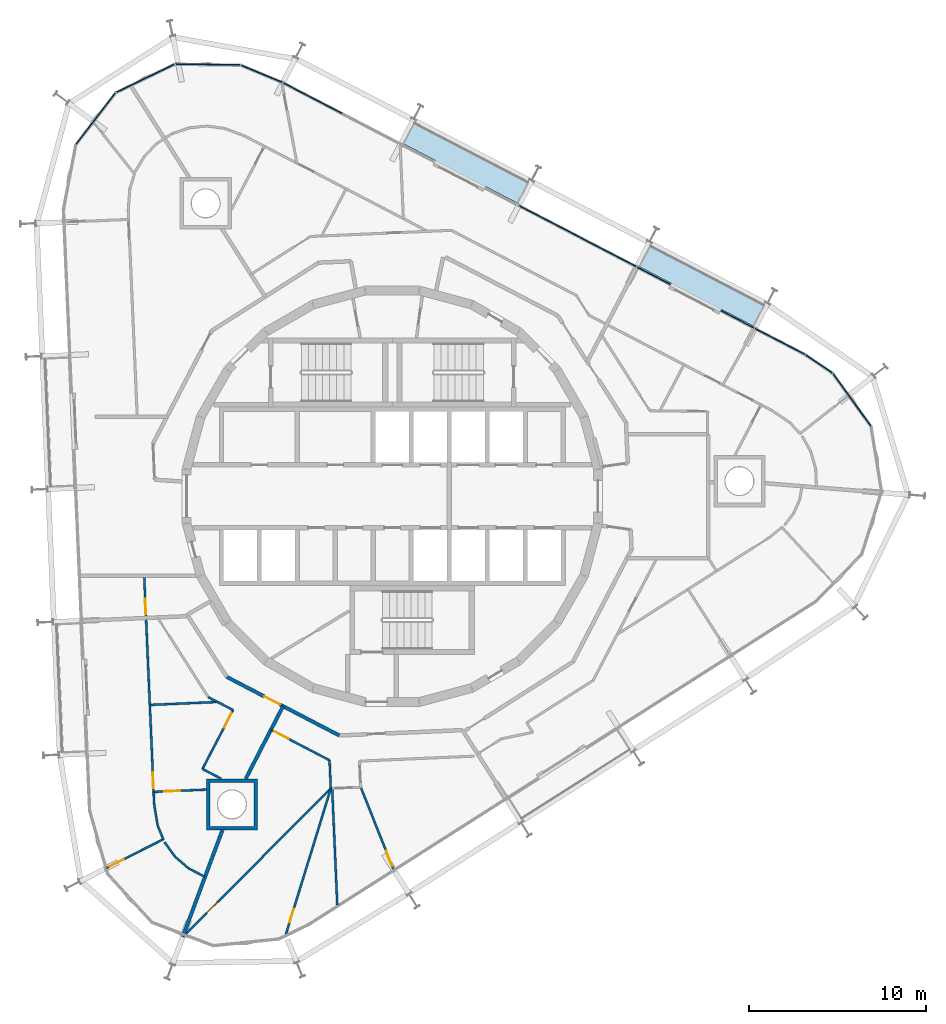
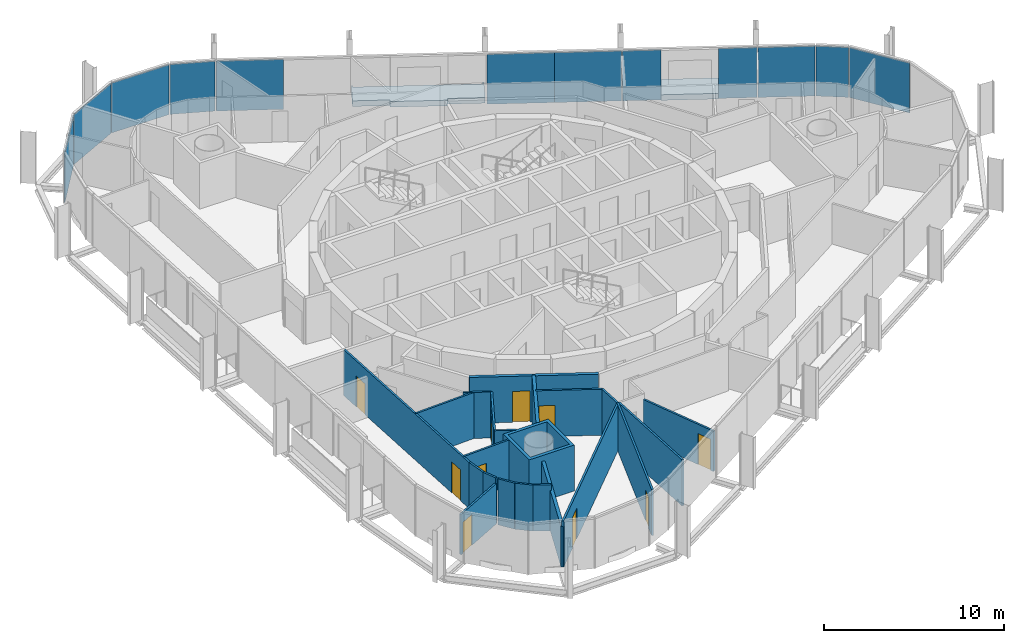
# One storey, part 11 of 17: 22 walls, 12 plates, 10 doors, 2 slabs, 10 openings, 3 elements without a shape of their own.
"""IFC4 building model written with IfcOpenShell, lengths in metres."""

import ifcopenshell
import ifcopenshell.guid

model = None  # the IFC model being written
_history = None  # IfcOwnerHistory: only IFC2X3 demands one
_inside = {}  # id of a spatial element -> (the spatial element, [elements in it])
_under = {}  # id of a project, library or spatial element -> (it, [spatial elements below it])
_declared = {}  # id of a project -> (the project, [libraries it declares])
_typed = {}  # id of a type object -> (the type object, [elements of that type])
_made_of = {}  # id of a material, layer set ... -> (it, [elements and type objects made of it])


def new_model(schema):
    """Start an empty IFC model of exactly this schema.

    Asked for "IFC4X3", IfcOpenShell would pick the latest addendum, in which some entities
    have other attributes; the version numbers below select the first issue.
    IFC2X3 requires an IfcOwnerHistory on every rooted entity: one is made here for all.
    """
    global model, _history
    if schema == "IFC4X3":
        model = ifcopenshell.file(schema_version=(4, 3, 0, 0))
    else:
        model = ifcopenshell.file(schema=schema)
    _inside.clear()
    _under.clear()
    _declared.clear()
    _typed.clear()
    _made_of.clear()
    _history = None
    if model.schema == "IFC2X3":
        org = make("IfcOrganization", Name="unknown")
        user = make(
            "IfcPersonAndOrganization",
            ThePerson=make("IfcPerson", FamilyName="unknown"),
            TheOrganization=org,
        )
        app = make(
            "IfcApplication",
            ApplicationDeveloper=org,
            Version="unknown",
            ApplicationFullName="unknown",
            ApplicationIdentifier="unknown",
        )
        _history = make(
            "IfcOwnerHistory",
            OwningUser=user,
            OwningApplication=app,
            ChangeAction="ADDED",
            CreationDate=0,
        )
    return model


def make(cls, **values):
    """One entity of the class cls with the attributes given. An attribute that is None is left unset."""
    return model.create_entity(
        cls, **{name: value for name, value in values.items() if value is not None}
    )


def rooted(cls, **values):
    """An entity with a GlobalId (a new one), such as an element, a storey or a relation."""
    return make(cls, GlobalId=ifcopenshell.guid.new(), OwnerHistory=_history, **values)


def si_unit(unit_type, name, prefix=None):
    """IfcSIUnit, for example si_unit("LENGTHUNIT", "METRE", prefix="MILLI")."""
    return make("IfcSIUnit", UnitType=unit_type, Prefix=prefix, Name=name)


def assignment(units):
    """IfcUnitAssignment: the units of a project."""
    return None if units is None else make("IfcUnitAssignment", Units=units)


def point(xyz):
    """IfcCartesianPoint."""
    return None if xyz is None else make("IfcCartesianPoint", Coordinates=xyz)


def direction(xyz):
    """IfcDirection."""
    return None if xyz is None else make("IfcDirection", DirectionRatios=xyz)


def frame(location, z_axis=None, x_axis=None):
    """IfcAxis2Placement3D, a coordinate frame: its origin and axes. An axis left out is left unset."""
    return make(
        "IfcAxis2Placement3D",
        Location=point(location),
        Axis=direction(z_axis),
        RefDirection=direction(x_axis),
    )


def frame_2d(location, x_axis=None):
    """IfcAxis2Placement2D, a coordinate frame in the plane: its origin and x axis."""
    return make(
        "IfcAxis2Placement2D", Location=point(location), RefDirection=direction(x_axis)
    )


def origin():
    """The frame at (0, 0, 0) with its axes left unset."""
    return frame((0.0, 0.0, 0.0))


def origin_2d():
    """The frame at (0, 0) in the plane with its x axis left unset."""
    return frame_2d((0.0, 0.0))


def place(relative_to, where):
    """IfcLocalPlacement: puts the frame where relative to a parent placement (None: the world)."""
    return make(
        "IfcLocalPlacement", PlacementRelTo=relative_to, RelativePlacement=where
    )


def context(
    kind, dimensions, precision=None, world=None, true_north=None, identifier=None
):
    """IfcGeometricRepresentationContext, for example the 3D "Model" context."""
    return make(
        "IfcGeometricRepresentationContext",
        ContextIdentifier=identifier,
        ContextType=kind,
        CoordinateSpaceDimension=dimensions,
        Precision=precision,
        WorldCoordinateSystem=world,
        TrueNorth=true_north,
    )


def subcontext(parent, identifier, kind, view, scale=None):
    """IfcGeometricRepresentationSubContext, for example "Body" below "Model"."""
    return make(
        "IfcGeometricRepresentationSubContext",
        ContextIdentifier=identifier,
        ContextType=kind,
        ParentContext=parent,
        TargetScale=scale,
        TargetView=view,
    )


def project(units=None, contexts=None):
    """IfcProject with its units and contexts."""
    return rooted(
        "IfcProject",
        Name="project",
        RepresentationContexts=contexts,
        UnitsInContext=assignment(units),
    )


def spatial(cls, under=None, at=None, **own):
    """A site, building, storey or space (cls), placed at a placement, below another one or the project."""
    s = rooted(cls, ObjectPlacement=at, **own)
    if under is not None:
        _under.setdefault(under.id(), (under, []))[1].append(s)
    return s


def polyline(points):
    """IfcPolyline through the points."""
    return make("IfcPolyline", Points=[point(p) for p in points])


def profile(cls, at=None, kind="AREA", **sizes):
    """A parametric profile (cls). Its sizes go by their IFC names, for example OverallWidth=200.0."""
    return make(cls, ProfileType=kind, Position=at, **sizes)


def rectangle(**sizes):
    """IfcRectangleProfileDef."""
    return profile("IfcRectangleProfileDef", **sizes)


def outline(outer, holes=None, kind="AREA"):
    """IfcArbitraryClosedProfileDef: a profile drawn as a closed curve; with holes, ...WithVoids."""
    if holes is None:
        return make("IfcArbitraryClosedProfileDef", ProfileType=kind, OuterCurve=outer)
    return make(
        "IfcArbitraryProfileDefWithVoids",
        ProfileType=kind,
        OuterCurve=outer,
        InnerCurves=holes,
    )


def extrude(swept, where, along, depth):
    """IfcExtrudedAreaSolid: the profile swept, set in the frame where, extruded along a direction by depth."""
    return make(
        "IfcExtrudedAreaSolid",
        SweptArea=swept,
        Position=where,
        ExtrudedDirection=direction(along),
        Depth=depth,
    )


def shape(context_of_items, identifier, shape_type, items):
    """IfcShapeRepresentation: the items that make up one representation, for example the "Body"."""
    return make(
        "IfcShapeRepresentation",
        ContextOfItems=context_of_items,
        RepresentationIdentifier=identifier,
        RepresentationType=shape_type,
        Items=items,
    )


def material(Name=None, Category=None):
    """IfcMaterial."""
    return make("IfcMaterial", Name=Name, Category=Category)


def layer(
    of_material, thickness, ventilated=None, Name=None, Category=None, Priority=None
):
    """IfcMaterialLayer: one layer of a wall or slab, of a material (None: an air gap)."""
    return make(
        "IfcMaterialLayer",
        Material=of_material,
        LayerThickness=thickness,
        IsVentilated=ventilated,
        Name=Name,
        Category=Category,
        Priority=Priority,
    )


def layer_set(layers, Name=None):
    """IfcMaterialLayerSet."""
    return make("IfcMaterialLayerSet", MaterialLayers=layers, LayerSetName=Name)


def made_of(thing, what):
    """Note that an element or type object is made of a material, layer set ...; save() writes the relation."""
    if what is not None:
        _made_of.setdefault(what.id(), (what, []))[1].append(thing)
    return thing


def type_object(cls, material=None, **own):
    """A type object (cls), such as IfcWallType, which elements share."""
    return made_of(rooted(cls, **own), material)


def element(
    cls,
    number,
    at=None,
    inside=None,
    cuts=None,
    type_object=None,
    material=None,
    context=None,
    identifier="Body",
    shape_type=None,
    held_by="IfcProductDefinitionShape",
    body=None,
    shapes=None,
    **own,
):
    """One element of the class cls, such as IfcWall. Its Tag is "e" and its number.

    at: its placement. inside: the storey or other place that contains it. cuts: it is an
    opening in that element (IfcRelVoidsElement). A single representation is given by context,
    identifier, shape_type and body (its items); several are given by shapes. held_by: the class
    of the entity that holds the representations. save() writes the other relations.
    """
    e = rooted(cls, Tag="e%d" % number, ObjectPlacement=at, **own)
    if body is not None:
        shapes = [shape(context, identifier, shape_type, body)]
    if shapes is not None:
        e.Representation = make(held_by, Representations=shapes)
    if inside is not None:
        _inside.setdefault(inside.id(), (inside, []))[1].append(e)
    if cuts is not None:
        rooted(
            "IfcRelVoidsElement", RelatingBuildingElement=cuts, RelatedOpeningElement=e
        )
    if type_object is not None:
        _typed.setdefault(type_object.id(), (type_object, []))[1].append(e)
    return made_of(e, material)


def fill(opening, filler):
    """IfcRelFillsElement: the door or window that sits in an opening."""
    return rooted(
        "IfcRelFillsElement",
        RelatingOpeningElement=opening,
        RelatedBuildingElement=filler,
    )


def aggregate(whole, parts):
    """IfcRelAggregates: a whole, such as a stair, and the parts it consists of."""
    return rooted("IfcRelAggregates", RelatingObject=whole, RelatedObjects=parts)


def save(model, path):
    """Write the relations noted so far, then the file.

    IfcRelAggregates (storeys below a building ...), IfcRelContainedInSpatialStructure (elements
    in a storey), IfcRelDefinesByType, IfcRelAssociatesMaterial and IfcRelDeclares: one each for
    every whole, place, type object, material and project.
    """
    for whole, parts in _under.values():
        aggregate(whole, parts)
    for where, things in _inside.values():
        rooted(
            "IfcRelContainedInSpatialStructure",
            RelatedElements=things,
            RelatingStructure=where,
        )
    for kind, things in _typed.values():
        rooted("IfcRelDefinesByType", RelatedObjects=things, RelatingType=kind)
    for what, things in _made_of.values():
        rooted("IfcRelAssociatesMaterial", RelatedObjects=things, RelatingMaterial=what)
    for by, libraries in _declared.values():
        rooted("IfcRelDeclares", RelatingContext=by, RelatedDefinitions=libraries)
    model.write(path)


model = new_model("IFC4")

# Units and contexts
model_context = context("Model", 3, precision=1e-05, world=origin(), true_north=direction((0.0, 1.0)))
body_context = subcontext(model_context, "Body", "Model", "MODEL_VIEW")
ifc_project = project(units=[si_unit("LENGTHUNIT", "METRE"), si_unit("AREAUNIT", "SQUARE_METRE"), si_unit("VOLUMEUNIT", "CUBIC_METRE"), si_unit("PLANEANGLEUNIT", "RADIAN"), si_unit("MASSUNIT", "GRAM", prefix="KILO")], contexts=[model_context])

# Site, building, storey
site_placement = place(None, origin())
site = spatial("IfcSite", under=ifc_project, at=site_placement, CompositionType="ELEMENT")
building_placement = place(site_placement, origin())
building = spatial("IfcBuilding", under=site, at=building_placement, Name="Spindle Arch Residences", CompositionType="ELEMENT")
storey_placement = place(building_placement, frame((0.0, 0.0, 244.199951171875)))
storey = spatial("IfcBuildingStorey", under=building, at=storey_placement, Name="L62", CompositionType="ELEMENT", Elevation=244.199951171875)

# Slabs
ifc_material_1 = material(Name="Concrete C40/50", Category="concrete")
ifc_layer_1 = layer(ifc_material_1, 0.3798828125)
ifc_layer_set_1 = layer_set([ifc_layer_1], Name="Balcony slab 380")
slab_type = type_object("IfcSlabType", Name="Balcony slab 380", PredefinedType="FLOOR", material=ifc_layer_set_1)
slab_1_placement = place(storey_placement, frame((0.0, 0.0, -0.3798828125)))
element("IfcSlab", 1, at=slab_1_placement, inside=storey, type_object=slab_type, Name="Balcony L62 bay 6", PredefinedType="FLOOR", context=body_context, shape_type="SweptSolid", body=[
    extrude(outline(polyline([(21.175537109375, 10.94287109375), (21.109130859375, 10.9775390625), (21.039794921875, 10.844482421875), (14.626708984375, 14.18310546875), (14.696044921875, 14.316162109375), (14.62939453125, 14.3505859375), (13.94140625, 13.029052734375), (15.79541015625, 12.06396484375), (15.721435546875, 11.922119140625), (18.559814453125, 10.444580078125), (18.6337890625, 10.58642578125), (20.487548828125, 9.621337890625), (21.175537109375, 10.94287109375)])), origin(), (0.0, 0.0, 1.0), 0.3798828125),
])
slab_2_placement = place(storey_placement, frame((0.0, 0.0, -0.3798828125)))
element("IfcSlab", 2, at=slab_2_placement, inside=storey, type_object=slab_type, Name="Balcony L62 bay 8", PredefinedType="FLOOR", context=body_context, shape_type="SweptSolid", body=[
    extrude(outline(polyline([(7.817138671875, 17.89697265625), (7.75048828125, 17.931640625), (7.681396484375, 17.798583984375), (1.268310546875, 21.136962890625), (1.33740234375, 21.27001953125), (1.27099609375, 21.3046875), (0.5830078125, 19.983154296875), (2.436767578125, 19.01806640625), (2.363037109375, 18.8759765625), (5.201416015625, 17.3984375), (5.275146484375, 17.540283203125), (7.129150390625, 16.5751953125), (7.817138671875, 17.89697265625)])), origin(), (0.0, 0.0, 1.0), 0.3798828125),
])

# Curtain wall, plates
ifc_material_2 = material(Name="Aluminium bronze unitised frame with tinted glass", Category="aluminium")
ifc_layer_2 = layer(ifc_material_2, 0.159912109375)
ifc_layer_set_2 = layer_set([ifc_layer_2], Name="CW-D corner wall on the fillet arcs")
curtain_wall_type_1 = type_object("IfcCurtainWallType", Name="CW-D corner wall on the fillet arcs", PredefinedType="NOTDEFINED", material=ifc_layer_set_2)
curtain_wall_1_placement = place(storey_placement, origin())
curtain_wall_1 = element("IfcCurtainWall", 3, at=curtain_wall_1_placement, inside=storey, type_object=curtain_wall_type_1, Name="CW-D L62 run 1", PredefinedType="NOTDEFINED")
ifc_material_3 = material(Name="Tinted double glazing over aluminium faced non-combustible spandrel zone (K0)", Category="aluminium")
ifc_layer_3 = layer(ifc_material_3, 0.06005859375)
ifc_layer_set_3 = layer_set([ifc_layer_3], Name="Unitised glass panel with E 60 spandrel zone")
plate_type = type_object("IfcPlateType", Name="Unitised glass panel with E 60 spandrel zone", PredefinedType="CURTAIN_PANEL", material=ifc_layer_set_3)
plate_1_placement = place(storey_placement, frame((26.024169921875, 5.460693359375, -0.3798828125), z_axis=(0.0, 0.0, 1.0), x_axis=(-0.585429431289, 0.810723368962, 0.0)))
plate_1 = element("IfcPlate", 4, at=plate_1_placement, type_object=plate_type, Name="CW-D unit 04", PredefinedType="CURTAIN_PANEL", context=body_context, shape_type="SweptSolid", body=[
    extrude(rectangle(XDim=3.666748046875, YDim=0.06005859375, at=origin_2d()), origin(), (0.0, 0.0, 1.0), 3.3798828125),
])
plate_2_placement = place(storey_placement, frame((24.156982421875, 7.498291015625, -0.3798828125), z_axis=(0.0, 0.0, 1.0), x_axis=(-0.827407441981, 0.561602105546, 0.0)))
plate_2 = element("IfcPlate", 5, at=plate_2_placement, type_object=plate_type, Name="CW-D unit 05", PredefinedType="CURTAIN_PANEL", context=body_context, shape_type="SweptSolid", body=[
    extrude(rectangle(XDim=1.816162109375, YDim=0.06005859375, at=origin_2d()), origin(), (0.0, 0.0, 1.0), 3.3798828125),
])
plate_3_placement = place(storey_placement, frame((21.948974609375, 8.770263671875, -0.3798828125), z_axis=(0.0, 0.0, 1.0), x_axis=(-0.887010833178, 0.461748613235, 0.0)))
plate_3 = element("IfcPlate", 6, at=plate_3_placement, type_object=plate_type, Name="CW-D unit 06", PredefinedType="CURTAIN_PANEL", context=body_context, shape_type="SweptSolid", body=[
    extrude(rectangle(XDim=3.16845703125, YDim=0.06005859375, at=origin_2d()), origin(), (0.0, 0.0, 1.0), 3.3798828125),
])
aggregate(curtain_wall_1, [plate_1, plate_2, plate_3])

ifc_material_4 = material(Name="Aluminium bronze unitised frame with tinted glass", Category="aluminium")
ifc_layer_4 = layer(ifc_material_4, 0.159912109375)
ifc_layer_set_4 = layer_set([ifc_layer_4], Name="CW-C typical residential unitised wall")
curtain_wall_type_2 = type_object("IfcCurtainWallType", Name="CW-C typical residential unitised wall", PredefinedType="NOTDEFINED", material=ifc_layer_set_4)
curtain_wall_2_placement = place(storey_placement, origin())
curtain_wall_2 = element("IfcCurtainWall", 7, at=curtain_wall_2_placement, inside=storey, type_object=curtain_wall_type_2, Name="CW-C L62 run 2", PredefinedType="NOTDEFINED")
plate_4_placement = place(storey_placement, frame((19.543701171875, 10.0224609375, -0.3798828125), z_axis=(0.0, 0.0, 1.0), x_axis=(-0.887010833178, 0.461748613235, 0.0)))
plate_4 = element("IfcPlate", 8, at=plate_4_placement, type_object=plate_type, Name="CW-C unit 05L", PredefinedType="CURTAIN_PANEL", context=body_context, shape_type="SweptSolid", body=[
    extrude(rectangle(XDim=2.135009765625, YDim=0.06005859375, at=origin_2d()), origin(), (0.0, 0.0, 1.0), 3.3798828125),
])
plate_5_placement = place(storey_placement, frame((14.8115234375, 12.48583984375, -0.3798828125), z_axis=(0.0, 0.0, 1.0), x_axis=(-0.887010833178, 0.461748613235, 0.0)))
plate_5 = element("IfcPlate", 9, at=plate_5_placement, type_object=plate_type, Name="CW-C unit 05R", PredefinedType="CURTAIN_PANEL", context=body_context, shape_type="SweptSolid", body=[
    extrude(rectangle(XDim=2.135009765625, YDim=0.06005859375, at=origin_2d()), origin(), (0.0, 0.0, 1.0), 3.3798828125),
])
plate_6_placement = place(storey_placement, frame((12.15478515625, 13.868896484375, -0.3798828125), z_axis=(0.0, 0.0, 1.0), x_axis=(-0.887010833178, 0.461748613235, 0.0)))
plate_6 = element("IfcPlate", 10, at=plate_6_placement, type_object=plate_type, Name="CW-C unit 06A", PredefinedType="CURTAIN_PANEL", context=body_context, shape_type="SweptSolid", body=[
    extrude(rectangle(XDim=3.735107421875, YDim=0.06005859375, at=origin_2d()), origin(), (0.0, 0.0, 1.0), 3.3798828125),
])
plate_7_placement = place(storey_placement, frame((8.841796875, 15.593505859375, -0.3798828125), z_axis=(0.0, 0.0, 1.0), x_axis=(-0.887010833178, 0.461748613235, 0.0)))
plate_7 = element("IfcPlate", 11, at=plate_7_placement, type_object=plate_type, Name="CW-C unit 06B", PredefinedType="CURTAIN_PANEL", context=body_context, shape_type="SweptSolid", body=[
    extrude(rectangle(XDim=3.735107421875, YDim=0.06005859375, at=origin_2d()), origin(), (0.0, 0.0, 1.0), 3.3798828125),
])
plate_8_placement = place(storey_placement, frame((-4.5166015625, 22.547607421875, -0.3798828125), z_axis=(0.0, 0.0, 1.0), x_axis=(-0.887010833178, 0.461748613235, 0.0)))
plate_8 = element("IfcPlate", 12, at=plate_8_placement, type_object=plate_type, Name="CW-C unit 08B", PredefinedType="CURTAIN_PANEL", context=body_context, shape_type="SweptSolid", body=[
    extrude(rectangle(XDim=3.735107421875, YDim=0.06005859375, at=origin_2d()), origin(), (0.0, 0.0, 1.0), 3.3798828125),
])
aggregate(curtain_wall_2, [plate_4, plate_5, plate_6, plate_7, plate_8])

curtain_wall_3_placement = place(storey_placement, origin())
curtain_wall_3 = element("IfcCurtainWall", 13, at=curtain_wall_3_placement, inside=storey, type_object=curtain_wall_type_1, Name="CW-D L62 run 3", PredefinedType="NOTDEFINED")
plate_9_placement = place(storey_placement, frame((-7.39501953125, 23.923095703125, -0.3798828125), z_axis=(0.0, 0.0, 1.0), x_axis=(-0.92268610302, 0.385552013734, 0.0)))
plate_9 = element("IfcPlate", 14, at=plate_9_placement, type_object=plate_type, Name="CW-D unit 00", PredefinedType="CURTAIN_PANEL", context=body_context, shape_type="SweptSolid", body=[
    extrude(rectangle(XDim=2.531005859375, YDim=0.06005859375, at=origin_2d()), origin(), (0.0, 0.0, 1.0), 3.3798828125),
])
plate_10_placement = place(storey_placement, frame((-10.45361328125, 24.44970703125, -0.3798828125), z_axis=(0.0, 0.0, 1.0), x_axis=(-0.999894231949, 0.014543896145, 0.0)))
plate_10 = element("IfcPlate", 15, at=plate_10_placement, type_object=plate_type, Name="CW-D unit 01", PredefinedType="CURTAIN_PANEL", context=body_context, shape_type="SweptSolid", body=[
    extrude(rectangle(XDim=3.666748046875, YDim=0.06005859375, at=origin_2d()), origin(), (0.0, 0.0, 1.0), 3.3798828125),
])
plate_11_placement = place(storey_placement, frame((-13.993896484375, 23.664794921875, -0.3798828125), z_axis=(0.0, 0.0, 1.0), x_axis=(-0.900065409075, -0.435754815677, 0.0)))
plate_11 = element("IfcPlate", 16, at=plate_11_placement, type_object=plate_type, Name="CW-D unit 02", PredefinedType="CURTAIN_PANEL", context=body_context, shape_type="SweptSolid", body=[
    extrude(rectangle(XDim=3.666748046875, YDim=0.06005859375, at=origin_2d()), origin(), (0.0, 0.0, 1.0), 3.3798828125),
])
plate_12_placement = place(storey_placement, frame((-16.805419921875, 21.37451171875, -0.3798828125), z_axis=(0.0, 0.0, 1.0), x_axis=(-0.60876142329, -0.793353344679, 0.0)))
plate_12 = element("IfcPlate", 17, at=plate_12_placement, type_object=plate_type, Name="CW-D unit 03", PredefinedType="CURTAIN_PANEL", context=body_context, shape_type="SweptSolid", body=[
    extrude(rectangle(XDim=3.666748046875, YDim=0.06005859375, at=origin_2d()), origin(), (0.0, 0.0, 1.0), 3.3798828125),
])
aggregate(curtain_wall_3, [plate_9, plate_10, plate_11, plate_12])

# Wall, opening, door
ifc_material_5 = material(Name="Calcium silicate block, plastered")
ifc_layer_5 = layer(ifc_material_5, 0.199951171875)
ifc_layer_set_5 = layer_set([ifc_layer_5], Name="Corridor wall 200")
wall_type_1 = type_object("IfcWallType", Name="Corridor wall 200", PredefinedType="STANDARD", material=ifc_layer_set_5)
wall_1_placement = place(storey_placement, frame((-9.372314453125, -10.22802734375, 0.0), z_axis=(0.0, 0.0, 1.0), x_axis=(0.887005184532, -0.461759464021, 0.0)))
wall_1 = element("IfcWall", 18, at=wall_1_placement, inside=storey, type_object=wall_type_1, Name="Corridor wall R6B1-W019", PredefinedType="STANDARD", context=body_context, shape_type="SweptSolid", body=[
    extrude(rectangle(XDim=7.18115234375, YDim=0.199951171875, at=frame_2d((3.590576171875, 0.0))), origin(), (0.0, 0.0, 1.0), 3.1201171875),
])
opening_1_placement = place(wall_1_placement, frame((2.390625, 0.0, 0.0)))
opening_1 = element("IfcOpeningElement", 19, at=opening_1_placement, cuts=wall_1, Name="Opening R6B1-FD04", PredefinedType="OPENING", context=body_context, shape_type="SweptSolid", body=[
    extrude(rectangle(XDim=1.0, YDim=2.10009765625, at=frame_2d((0.5, 1.050048828125))), frame((0.0, 0.10986328125, 0.0), z_axis=(0.0, -1.0, 0.0), x_axis=(1.0, 0.0, 0.0)), (0.0, 0.0, 1.0), 0.219970703125),
])
ifc_material_6 = material(Name="Timber, fire-resisting door set", Category="wood")
door_type_1 = type_object("IfcDoorType", Name="Flat entrance door 1000x2100", OperationType="NOTDEFINED", PredefinedType="DOOR", material=ifc_material_6)
door_1_placement = place(opening_1_placement, origin())
door_1 = element("IfcDoor", 20, at=door_1_placement, inside=storey, type_object=door_type_1, Name="Flat entrance door R6B1-FD04", OperationType="SINGLE_SWING_RIGHT", OverallHeight=2.10009765625, OverallWidth=1.0, PredefinedType="DOOR", context=body_context, shape_type="SweptSolid", body=[
    extrude(rectangle(XDim=1.0, YDim=2.10009765625, at=frame_2d((0.5, 1.050048828125))), frame((0.0, 0.02490234375, 0.0), z_axis=(0.0, -1.0, 0.0), x_axis=(1.0, 0.0, 0.0)), (0.0, 0.0, 1.0), 0.050048828125),
])
fill(opening_1, door_1)

# Wall, openings, doors
ifc_material_7 = material(Name="Plasterboard on steel studs", Category="steel")
ifc_layer_6 = layer(ifc_material_7, 0.1201171875)
ifc_layer_set_6 = layer_set([ifc_layer_6], Name="Flat partition 120")
wall_type_2 = type_object("IfcWallType", Name="Flat partition 120", PredefinedType="PARTITIONING", material=ifc_layer_set_6)
wall_2_placement = place(storey_placement, frame((-13.487060546875, -17.4287109375, 0.0), z_axis=(0.0, 0.0, 1.0), x_axis=(-0.043617336945, 0.999048311103, 0.0)))
wall_2 = element("IfcWall", 21, at=wall_2_placement, inside=storey, type_object=wall_type_2, Name="Flat partition R6B1-W071", PredefinedType="PARTITIONING", context=body_context, shape_type="SweptSolid", body=[
    extrude(rectangle(XDim=12.94091796875, YDim=0.1201171875, at=frame_2d((6.470458984375, 0.0))), origin(), (0.0, 0.0, 1.0), 3.1201171875),
])
opening_2_placement = place(wall_2_placement, frame((10.748779296875, 0.0, 0.0)))
opening_2 = element("IfcOpeningElement", 22, at=opening_2_placement, cuts=wall_2, Name="Opening R6B1-ID13", PredefinedType="OPENING", context=body_context, shape_type="SweptSolid", body=[
    extrude(rectangle(XDim=0.89990234375, YDim=2.10009765625, at=frame_2d((0.449951171875, 1.050048828125))), frame((0.0, 0.070068359375, 0.0), z_axis=(0.0, -1.0, 0.0), x_axis=(1.0, 0.0, 0.0)), (0.0, 0.0, 1.0), 0.14013671875),
])
opening_3_placement = place(wall_2_placement, frame((0.8916015625, 0.0, 0.0)))
opening_3 = element("IfcOpeningElement", 23, at=opening_3_placement, cuts=wall_2, Name="Opening R6B1-ID15", PredefinedType="OPENING", context=body_context, shape_type="SweptSolid", body=[
    extrude(rectangle(XDim=0.89990234375, YDim=2.10009765625, at=frame_2d((0.449951171875, 1.050048828125))), frame((0.0, 0.070068359375, 0.0), z_axis=(0.0, -1.0, 0.0), x_axis=(1.0, 0.0, 0.0)), (0.0, 0.0, 1.0), 0.14013671875),
])
ifc_material_8 = material(Name="Timber door set", Category="wood")
door_type_2 = type_object("IfcDoorType", Name="Room door 900x2100", OperationType="NOTDEFINED", PredefinedType="DOOR", material=ifc_material_8)
door_2_placement = place(opening_2_placement, origin())
door_2 = element("IfcDoor", 24, at=door_2_placement, inside=storey, type_object=door_type_2, Name="Room door R6B1-ID13", OperationType="SINGLE_SWING_LEFT", OverallHeight=2.10009765625, OverallWidth=0.89990234375, PredefinedType="DOOR", context=body_context, shape_type="SweptSolid", body=[
    extrude(rectangle(XDim=0.89990234375, YDim=2.10009765625, at=frame_2d((0.449951171875, 1.050048828125))), frame((0.0, 0.02490234375, 0.0), z_axis=(0.0, -1.0, 0.0), x_axis=(1.0, 0.0, 0.0)), (0.0, 0.0, 1.0), 0.050048828125),
])
fill(opening_2, door_2)
door_3_placement = place(opening_3_placement, origin())
door_3 = element("IfcDoor", 25, at=door_3_placement, inside=storey, type_object=door_type_2, Name="Room door R6B1-ID15", OperationType="SINGLE_SWING_RIGHT", OverallHeight=2.10009765625, OverallWidth=0.89990234375, PredefinedType="DOOR", context=body_context, shape_type="SweptSolid", body=[
    extrude(rectangle(XDim=0.89990234375, YDim=2.10009765625, at=frame_2d((0.449951171875, 1.050048828125))), frame((0.0, 0.02490234375, 0.0), z_axis=(0.0, -1.0, 0.0), x_axis=(1.0, 0.0, 0.0)), (0.0, 0.0, 1.0), 0.050048828125),
])
fill(opening_3, door_3)

# Wall
wall_3_placement = place(storey_placement, frame((-10.42138671875, -11.373046875, 0.0), z_axis=(0.0, 0.0, 1.0), x_axis=(0.887065333052, -0.461643904864, 0.0)))
element("IfcWall", 26, at=wall_3_placement, inside=storey, type_object=wall_type_2, Name="Flat partition R6B1-W073", PredefinedType="PARTITIONING", context=body_context, shape_type="SweptSolid", body=[
    extrude(rectangle(XDim=1.583984375, YDim=0.1201171875, at=frame_2d((0.7919921875, 0.0))), origin(), (0.0, 0.0, 1.0), 3.1201171875),
])

# Wall, opening, door
wall_4_placement = place(storey_placement, frame((-9.016357421875, -12.104248046875, 0.0), z_axis=(0.0, 0.0, 1.0), x_axis=(-0.4617534789, -0.887008300256, 0.0)))
wall_4 = element("IfcWall", 27, at=wall_4_placement, inside=storey, type_object=wall_type_2, Name="Flat partition R6B1-W074", PredefinedType="PARTITIONING", context=body_context, shape_type="SweptSolid", body=[
    extrude(rectangle(XDim=3.75927734375, YDim=0.1201171875, at=frame_2d((1.879638671875, 0.0))), origin(), (0.0, 0.0, 1.0), 3.1201171875),
])
opening_4_placement = place(wall_4_placement, frame((0.199951171875, 0.0, 0.0)))
opening_4 = element("IfcOpeningElement", 28, at=opening_4_placement, cuts=wall_4, Name="Opening R6B1-ID14", PredefinedType="OPENING", context=body_context, shape_type="SweptSolid", body=[
    extrude(rectangle(XDim=0.89990234375, YDim=2.10009765625, at=frame_2d((0.449951171875, 1.050048828125))), frame((0.0, 0.070068359375, 0.0), z_axis=(0.0, -1.0, 0.0), x_axis=(1.0, 0.0, 0.0)), (0.0, 0.0, 1.0), 0.14013671875),
])
door_4_placement = place(opening_4_placement, origin())
door_4 = element("IfcDoor", 29, at=door_4_placement, inside=storey, type_object=door_type_2, Name="Room door R6B1-ID14", OperationType="SINGLE_SWING_RIGHT", OverallHeight=2.10009765625, OverallWidth=0.89990234375, PredefinedType="DOOR", context=body_context, shape_type="SweptSolid", body=[
    extrude(rectangle(XDim=0.89990234375, YDim=2.10009765625, at=frame_2d((0.449951171875, 1.050048828125))), frame((0.0, 0.02490234375, 0.0), z_axis=(0.0, -1.0, 0.0), x_axis=(1.0, 0.0, 0.0)), (0.0, 0.0, 1.0), 0.050048828125),
])
fill(opening_4, door_4)

# Walls
wall_5_placement = place(storey_placement, frame((-10.752197265625, -15.438720703125, 0.0), z_axis=(0.0, 0.0, 1.0), x_axis=(0.887031383626, -0.461709134048, 0.0)))
element("IfcWall", 30, at=wall_5_placement, inside=storey, type_object=wall_type_2, Name="Flat partition R6B1-W075", PredefinedType="PARTITIONING", context=body_context, shape_type="SweptSolid", body=[
    extrude(rectangle(XDim=1.207763671875, YDim=0.1201171875, at=frame_2d((0.60400390625, 0.0))), origin(), (0.0, 0.0, 1.0), 3.1201171875),
])
wall_6_placement = place(storey_placement, frame((-13.732177734375, -11.81396484375, 0.0), z_axis=(0.0, 0.0, 1.0), x_axis=(0.999048344587, 0.043616569999, 0.0)))
element("IfcWall", 31, at=wall_6_placement, inside=storey, type_object=wall_type_2, Name="Flat partition R6B1-W076", PredefinedType="PARTITIONING", context=body_context, shape_type="SweptSolid", body=[
    extrude(rectangle(XDim=3.83984375, YDim=0.1201171875, at=frame_2d((1.919921875, 0.0))), origin(), (0.0, 0.0, 1.0), 3.1201171875),
])
wall_7_placement = place(storey_placement, frame((-12.95361328125, -19.45556640625, 0.0), z_axis=(0.0, 0.0, 1.0), x_axis=(-0.382807777256, 0.923828017367, 0.0)))
element("IfcWall", 32, at=wall_7_placement, inside=storey, type_object=wall_type_2, Name="Flat partition R6B1-W077", PredefinedType="PARTITIONING", context=body_context, shape_type="SweptSolid", body=[
    extrude(rectangle(XDim=0.882568359375, YDim=0.1201171875, at=frame_2d((0.44140625, 0.0))), origin(), (0.0, 0.0, 1.0), 3.1201171875),
])
wall_8_placement = place(storey_placement, frame((-13.29150390625, -18.64013671875, 0.0), z_axis=(0.0, 0.0, 1.0), x_axis=(-0.159363796836, 0.98721992497, 0.0)))
element("IfcWall", 33, at=wall_8_placement, inside=storey, type_object=wall_type_2, Name="Flat partition R6B1-W078", PredefinedType="PARTITIONING", context=body_context, shape_type="SweptSolid", body=[
    extrude(rectangle(XDim=1.22705078125, YDim=0.1201171875, at=frame_2d((0.613525390625, 0.0))), origin(), (0.0, 0.0, 1.0), 3.1201171875),
])

# Wall, opening, door
wall_9_placement = place(storey_placement, frame((-13.51708984375, -16.738037109375, 0.0), z_axis=(0.0, 0.0, 1.0), x_axis=(0.999047660155, 0.043632244256, 0.0)))
wall_9 = element("IfcWall", 34, at=wall_9_placement, inside=storey, type_object=wall_type_2, Name="Flat partition R6B1-W080", PredefinedType="PARTITIONING", context=body_context, shape_type="SweptSolid", body=[
    extrude(rectangle(XDim=2.988037109375, YDim=0.1201171875, at=frame_2d((1.494140625, 0.0))), origin(), (0.0, 0.0, 1.0), 3.1201171875),
])
opening_5_placement = place(wall_9_placement, frame((0.60009765625, 0.0, 0.0)))
opening_5 = element("IfcOpeningElement", 35, at=opening_5_placement, cuts=wall_9, Name="Opening R6B1-ID16", PredefinedType="OPENING", context=body_context, shape_type="SweptSolid", body=[
    extrude(rectangle(XDim=0.89990234375, YDim=2.10009765625, at=frame_2d((0.449951171875, 1.050048828125))), frame((0.0, 0.070068359375, 0.0), z_axis=(0.0, -1.0, 0.0), x_axis=(1.0, 0.0, 0.0)), (0.0, 0.0, 1.0), 0.14013671875),
])
door_5_placement = place(opening_5_placement, origin())
door_5 = element("IfcDoor", 36, at=door_5_placement, inside=storey, type_object=door_type_2, Name="Room door R6B1-ID16", OperationType="SINGLE_SWING_RIGHT", OverallHeight=2.10009765625, OverallWidth=0.89990234375, PredefinedType="DOOR", context=body_context, shape_type="SweptSolid", body=[
    extrude(rectangle(XDim=0.89990234375, YDim=2.10009765625, at=frame_2d((0.449951171875, 1.050048828125))), frame((0.0, 0.02490234375, 0.0), z_axis=(0.0, -1.0, 0.0), x_axis=(1.0, 0.0, 0.0)), (0.0, 0.0, 1.0), 0.050048828125),
])
fill(opening_5, door_5)

# Walls
for number, where, z_axis, x_axis, name in (
    (37, (-12.902587890625, -19.578857421875, 0.0), (0.0, 0.0, 1.0), (0.585481778516, -0.810685566065, 0.0), "Flat partition R6B1-W081"),
    (38, (-12.307861328125, -20.40234375, 0.0), (0.0, 0.0, 1.0), (0.756552751789, -0.653932667604, 0.0), "Flat partition R6B1-W082"),
    (39, (-11.539306640625, -21.066650390625, 0.0), (0.0, 0.0, 1.0), (0.886953051048, -0.461859594721, 0.0), "Flat partition R6B1-W083"),
):
    element("IfcWall", number, at=place(storey_placement, frame(where, z_axis=z_axis, x_axis=x_axis)), inside=storey, type_object=wall_type_2, Name=name, PredefinedType="PARTITIONING", context=body_context, shape_type="SweptSolid", body=[
        extrude(rectangle(XDim=1.015869140625, YDim=0.1201171875, at=frame_2d((0.5078125, 0.0))), origin(), (0.0, 0.0, 1.0), 3.1201171875),
    ])

# Wall, opening, door
wall_10_placement = place(storey_placement, frame((-6.861328125, -13.22607421875, 0.0), z_axis=(0.0, 0.0, 1.0), x_axis=(0.887010791097, -0.461748694073, 0.0)))
wall_10 = element("IfcWall", 40, at=wall_10_placement, inside=storey, type_object=wall_type_2, Name="Flat partition R6B1-W084", PredefinedType="PARTITIONING", context=body_context, shape_type="SweptSolid", body=[
    extrude(rectangle(XDim=3.72705078125, YDim=0.1201171875, at=frame_2d((1.863525390625, 0.0))), origin(), (0.0, 0.0, 1.0), 3.1201171875),
])
opening_6_placement = place(wall_10_placement, frame((0.199951171875, 0.0, 0.0)))
opening_6 = element("IfcOpeningElement", 41, at=opening_6_placement, cuts=wall_10, Name="Opening R6B1-ID18", PredefinedType="OPENING", context=body_context, shape_type="SweptSolid", body=[
    extrude(rectangle(XDim=0.89990234375, YDim=2.10009765625, at=frame_2d((0.449951171875, 1.050048828125))), frame((0.0, 0.070068359375, 0.0), z_axis=(0.0, -1.0, 0.0), x_axis=(1.0, 0.0, 0.0)), (0.0, 0.0, 1.0), 0.14013671875),
])
door_6_placement = place(opening_6_placement, origin())
door_6 = element("IfcDoor", 42, at=door_6_placement, inside=storey, type_object=door_type_2, Name="Room door R6B1-ID18", OperationType="SINGLE_SWING_LEFT", OverallHeight=2.10009765625, OverallWidth=0.89990234375, PredefinedType="DOOR", context=body_context, shape_type="SweptSolid", body=[
    extrude(rectangle(XDim=0.89990234375, YDim=2.10009765625, at=frame_2d((0.449951171875, 1.050048828125))), frame((0.0, 0.02490234375, 0.0), z_axis=(0.0, -1.0, 0.0), x_axis=(1.0, 0.0, 0.0)), (0.0, 0.0, 1.0), 0.050048828125),
])
fill(opening_6, door_6)

# Wall
wall_11_placement = place(storey_placement, frame((-3.555419921875, -14.947021484375, 0.0), z_axis=(0.0, 0.0, 1.0), x_axis=(0.043470204022, -0.999054723908, 0.0)))
element("IfcWall", 43, at=wall_11_placement, inside=storey, type_object=wall_type_2, Name="Flat partition R6B1-W085", PredefinedType="PARTITIONING", context=body_context, shape_type="SweptSolid", body=[
    extrude(rectangle(XDim=1.606201171875, YDim=0.1201171875, at=frame_2d((0.80322265625, 0.0))), origin(), (0.0, 0.0, 1.0), 3.1201171875),
])

# Wall, opening, door
wall_12_placement = place(storey_placement, frame((-11.8623046875, -24.939697265625, 0.0), z_axis=(0.0, 0.0, 1.0), x_axis=(0.70663293894, 0.707580306117, 0.0)))
wall_12 = element("IfcWall", 44, at=wall_12_placement, inside=storey, type_object=wall_type_2, Name="Flat partition R6B1-W089", PredefinedType="PARTITIONING", context=body_context, shape_type="SweptSolid", body=[
    extrude(rectangle(XDim=11.8544921875, YDim=0.1201171875, at=frame_2d((5.92724609375, 0.0))), origin(), (0.0, 0.0, 1.0), 3.1201171875),
])
opening_7_placement = place(wall_12_placement, frame((1.89990234375, 0.0, 0.0)))
opening_7 = element("IfcOpeningElement", 45, at=opening_7_placement, cuts=wall_12, Name="Opening R6B1-ID21", PredefinedType="OPENING", context=body_context, shape_type="SweptSolid", body=[
    extrude(rectangle(XDim=0.89990234375, YDim=2.10009765625, at=frame_2d((0.449951171875, 1.050048828125))), frame((0.0, 0.070068359375, 0.0), z_axis=(0.0, -1.0, 0.0), x_axis=(1.0, 0.0, 0.0)), (0.0, 0.0, 1.0), 0.14013671875),
])
door_7_placement = place(opening_7_placement, origin())
door_7 = element("IfcDoor", 46, at=door_7_placement, inside=storey, type_object=door_type_2, Name="Room door R6B1-ID21", OperationType="SINGLE_SWING_RIGHT", OverallHeight=2.10009765625, OverallWidth=0.89990234375, PredefinedType="DOOR", context=body_context, shape_type="SweptSolid", body=[
    extrude(rectangle(XDim=0.89990234375, YDim=2.10009765625, at=frame_2d((0.449951171875, 1.050048828125))), frame((0.0, 0.02490234375, 0.0), z_axis=(0.0, -1.0, 0.0), x_axis=(1.0, 0.0, 0.0)), (0.0, 0.0, 1.0), 0.050048828125),
])
fill(opening_7, door_7)

wall_13_placement = place(storey_placement, frame((-6.02587890625, -24.794921875, 0.0), z_axis=(0.0, 0.0, 1.0), x_axis=(0.294501505058, 0.955651015548, 0.0)))
wall_13 = element("IfcWall", 47, at=wall_13_placement, inside=storey, type_object=wall_type_2, Name="Flat partition R6B1-W090", PredefinedType="PARTITIONING", context=body_context, shape_type="SweptSolid", body=[
    extrude(rectangle(XDim=8.625732421875, YDim=0.1201171875, at=frame_2d((4.31298828125, 0.0))), origin(), (0.0, 0.0, 1.0), 3.1201171875),
])
opening_8_placement = place(wall_13_placement, frame((0.699951171875, 0.0, 0.0)))
opening_8 = element("IfcOpeningElement", 48, at=opening_8_placement, cuts=wall_13, Name="Opening R6B1-BD05", PredefinedType="OPENING", context=body_context, shape_type="SweptSolid", body=[
    extrude(rectangle(XDim=0.800048828125, YDim=2.10009765625, at=frame_2d((0.39990234375, 1.050048828125))), frame((0.0, 0.070068359375, 0.0), z_axis=(0.0, -1.0, 0.0), x_axis=(1.0, 0.0, 0.0)), (0.0, 0.0, 1.0), 0.14013671875),
])
ifc_material_9 = material(Name="Timber door set", Category="wood")
door_type_3 = type_object("IfcDoorType", Name="Bathroom door 800x2100", OperationType="NOTDEFINED", PredefinedType="DOOR", material=ifc_material_9)
door_8_placement = place(opening_8_placement, origin())
door_8 = element("IfcDoor", 49, at=door_8_placement, inside=storey, type_object=door_type_3, Name="Bathroom door R6B1-BD05", OperationType="SINGLE_SWING_RIGHT", OverallHeight=2.10009765625, OverallWidth=0.800048828125, PredefinedType="DOOR", context=body_context, shape_type="SweptSolid", body=[
    extrude(rectangle(XDim=0.800048828125, YDim=2.10009765625, at=frame_2d((0.39990234375, 1.050048828125))), frame((0.0, 0.02490234375, 0.0), z_axis=(0.0, -1.0, 0.0), x_axis=(1.0, 0.0, 0.0)), (0.0, 0.0, 1.0), 0.050048828125),
])
fill(opening_8, door_8)

# Wall
wall_14_placement = place(storey_placement, frame((-3.119140625, -23.13330078125, 0.0), z_axis=(0.0, 0.0, 1.0), x_axis=(-0.043633326708, 0.99904761288, 0.0)))
element("IfcWall", 50, at=wall_14_placement, inside=storey, type_object=wall_type_2, Name="Flat partition R6B1-W091", PredefinedType="PARTITIONING", context=body_context, shape_type="SweptSolid", body=[
    extrude(rectangle(XDim=6.59130859375, YDim=0.1201171875, at=frame_2d((3.295654296875, 0.0))), origin(), (0.0, 0.0, 1.0), 3.1201171875),
])

# Wall, opening, door
ifc_material_10 = material(Name="Plasterboard on steel studs", Category="steel")
ifc_layer_7 = layer(ifc_material_10, 0.1201171875)
ifc_layer_set_7 = layer_set([ifc_layer_7], Name="Flat partition 120 under beam 2730")
wall_type_3 = type_object("IfcWallType", Name="Flat partition 120 under beam 2730", PredefinedType="PARTITIONING", material=ifc_layer_set_7)
wall_15_placement = place(storey_placement, frame((-16.18896484375, -21.05224609375, 0.0), z_axis=(0.0, 0.0, 1.0), x_axis=(0.891801938239, 0.452426019316, 0.0)))
wall_15 = element("IfcWall", 51, at=wall_15_placement, inside=storey, type_object=wall_type_3, Name="Flat partition R6B1-W079", PredefinedType="PARTITIONING", context=body_context, shape_type="SweptSolid", body=[
    extrude(rectangle(XDim=3.610595703125, YDim=0.1201171875, at=frame_2d((1.80517578125, 0.0))), origin(), (0.0, 0.0, 1.0), 2.72998046875),
])
opening_9_placement = place(wall_15_placement, frame((0.199951171875, 0.0, 0.0)))
opening_9 = element("IfcOpeningElement", 52, at=opening_9_placement, cuts=wall_15, Name="Opening R6B1-ID17", PredefinedType="OPENING", context=body_context, shape_type="SweptSolid", body=[
    extrude(rectangle(XDim=0.89990234375, YDim=2.10009765625, at=frame_2d((0.449951171875, 1.050048828125))), frame((0.0, 0.070068359375, 0.0), z_axis=(0.0, -1.0, 0.0), x_axis=(1.0, 0.0, 0.0)), (0.0, 0.0, 1.0), 0.14013671875),
])
door_9_placement = place(opening_9_placement, origin())
door_9 = element("IfcDoor", 53, at=door_9_placement, inside=storey, type_object=door_type_2, Name="Room door R6B1-ID17", OperationType="SINGLE_SWING_RIGHT", OverallHeight=2.10009765625, OverallWidth=0.89990234375, PredefinedType="DOOR", context=body_context, shape_type="SweptSolid", body=[
    extrude(rectangle(XDim=0.89990234375, YDim=2.10009765625, at=frame_2d((0.449951171875, 1.050048828125))), frame((0.0, 0.02490234375, 0.0), z_axis=(0.0, -1.0, 0.0), x_axis=(1.0, 0.0, 0.0)), (0.0, 0.0, 1.0), 0.050048828125),
])
fill(opening_9, door_9)

wall_16_placement = place(storey_placement, frame((0.05615234375, -21.110107421875, 0.0), z_axis=(0.0, 0.0, 1.0), x_axis=(-0.369701541807, 0.929150563679, 0.0)))
wall_16 = element("IfcWall", 54, at=wall_16_placement, inside=storey, type_object=wall_type_3, Name="Flat partition R6B1-W092", PredefinedType="PARTITIONING", context=body_context, shape_type="SweptSolid", body=[
    extrude(rectangle(XDim=4.98583984375, YDim=0.1201171875, at=frame_2d((2.492919921875, 0.0))), origin(), (0.0, 0.0, 1.0), 2.72998046875),
])
opening_10_placement = place(wall_16_placement, frame((0.199951171875, 0.0, 0.0)))
opening_10 = element("IfcOpeningElement", 55, at=opening_10_placement, cuts=wall_16, Name="Opening R6B1-ID22", PredefinedType="OPENING", context=body_context, shape_type="SweptSolid", body=[
    extrude(rectangle(XDim=0.89990234375, YDim=2.10009765625, at=frame_2d((0.449951171875, 1.050048828125))), frame((0.0, 0.070068359375, 0.0), z_axis=(0.0, -1.0, 0.0), x_axis=(1.0, 0.0, 0.0)), (0.0, 0.0, 1.0), 0.14013671875),
])
door_10_placement = place(opening_10_placement, origin())
door_10 = element("IfcDoor", 56, at=door_10_placement, inside=storey, type_object=door_type_2, Name="Room door R6B1-ID22", OperationType="SINGLE_SWING_LEFT", OverallHeight=2.10009765625, OverallWidth=0.89990234375, PredefinedType="DOOR", context=body_context, shape_type="SweptSolid", body=[
    extrude(rectangle(XDim=0.89990234375, YDim=2.10009765625, at=frame_2d((0.449951171875, 1.050048828125))), frame((0.0, 0.02490234375, 0.0), z_axis=(0.0, -1.0, 0.0), x_axis=(1.0, 0.0, 0.0)), (0.0, 0.0, 1.0), 0.050048828125),
])
fill(opening_10, door_10)

# Walls
ifc_material_11 = material(Name="Calcium silicate block, plastered")
ifc_layer_8 = layer(ifc_material_11, 0.199951171875)
ifc_layer_set_8 = layer_set([ifc_layer_8], Name="Flat party wall 200")
wall_type_4 = type_object("IfcWallType", Name="Flat party wall 200", PredefinedType="STANDARD", material=ifc_layer_set_8)
wall_17_placement = place(storey_placement, frame((-8.303466796875, -15.996337890625, 0.0), z_axis=(0.0, 0.0, 1.0), x_axis=(0.457702371186, 0.889105471477, 0.0)))
element("IfcWall", 57, at=wall_17_placement, inside=storey, type_object=wall_type_4, Name="Flat party wall R6B1-W034", PredefinedType="STANDARD", context=body_context, shape_type="SweptSolid", body=[
    extrude(rectangle(XDim=4.623046875, YDim=0.199951171875, at=frame_2d((2.3115234375, 0.0))), origin(), (0.0, 0.0, 1.0), 3.1201171875),
])
ifc_material_12 = material(Name="Calcium silicate block, plastered")
ifc_layer_9 = layer(ifc_material_12, 0.199951171875)
ifc_layer_set_9 = layer_set([ifc_layer_9], Name="Flat party wall 200 under beam 2730")
wall_type_5 = type_object("IfcWallType", Name="Flat party wall 200 under beam 2730", PredefinedType="STANDARD", material=ifc_layer_set_9)
wall_18_placement = place(storey_placement, frame((-11.865478515625, -24.93896484375, 0.0), z_axis=(0.0, 0.0, 1.0), x_axis=(0.348245485283, 0.937403372076, 0.0)))
element("IfcWall", 58, at=wall_18_placement, inside=storey, type_object=wall_type_5, Name="Flat party wall R6B1-W035", PredefinedType="STANDARD", context=body_context, shape_type="SweptSolid", body=[
    extrude(rectangle(XDim=6.4462890625, YDim=0.199951171875, at=frame_2d((3.22314453125, 0.0))), origin(), (0.0, 0.0, 1.0), 2.72998046875),
])
ifc_material_13 = material(Name="Calcium silicate block, plastered")
ifc_layer_10 = layer(ifc_material_13, 0.199951171875)
ifc_layer_set_10 = layer_set([ifc_layer_10], Name="Mega-column casing wall 200")
wall_type_6 = type_object("IfcWallType", Name="Mega-column casing wall 200", PredefinedType="STANDARD", material=ifc_layer_set_10)
wall_19_placement = place(storey_placement, origin())
element("IfcWall", 59, at=wall_19_placement, inside=storey, type_object=wall_type_6, Name="Mega-column casing wall R6B1-WC03", PredefinedType="STANDARD", context=body_context, shape_type="SweptSolid", body=[
    extrude(outline(polyline([(-7.632080078125, -15.996337890625), (-7.632080078125, -18.896240234375), (-10.531982421875, -18.896240234375), (-10.531982421875, -15.996337890625), (-7.632080078125, -15.996337890625)]), holes=[polyline([(-10.33203125, -18.6962890625), (-7.83203125, -18.6962890625), (-7.83203125, -16.1962890625), (-10.33203125, -16.1962890625), (-10.33203125, -18.6962890625)])]), origin(), (0.0, 0.0, 1.0), 3.1201171875),
])

save(model, "model.ifc")
